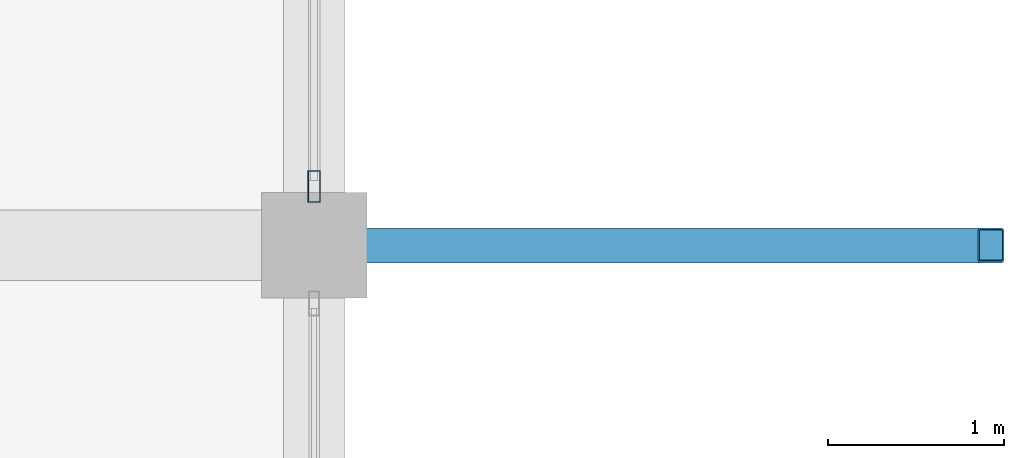
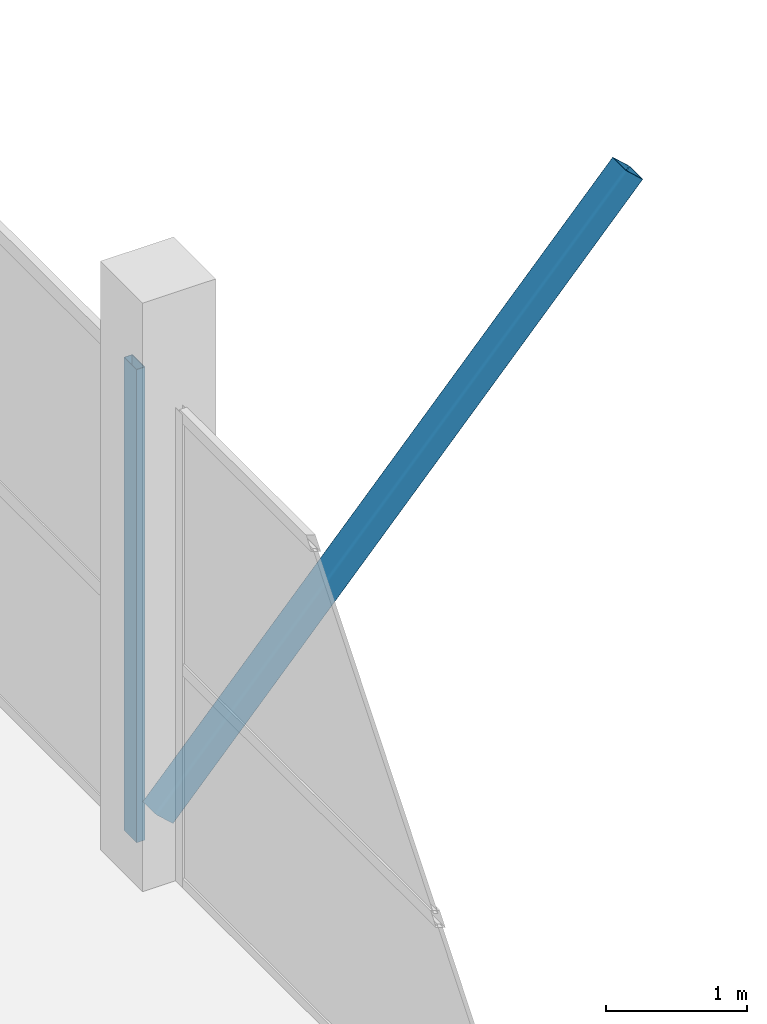
# One storey, part 17 of 58: 2 members, 1 element without a shape of its own.
"""IFC4 building model written with IfcOpenShell, lengths in metres."""

from ifc_helpers import new_model, si_unit, direction, frame, origin, origin_2d, place, context, subcontext, project, spatial, hollow_rectangle, extrude, material, layer, layer_set, material_profile, profile_set, type_object, element, aggregate, save


model = new_model("IFC4")

# Units and contexts
model_context = context("Model", 3, precision=1e-05, world=origin(), true_north=direction((0.0, 1.0)))
body_context = subcontext(model_context, "Body", "Model", "MODEL_VIEW")
ifc_project = project(units=[si_unit("LENGTHUNIT", "METRE"), si_unit("AREAUNIT", "SQUARE_METRE"), si_unit("VOLUMEUNIT", "CUBIC_METRE"), si_unit("PLANEANGLEUNIT", "RADIAN"), si_unit("MASSUNIT", "GRAM", prefix="KILO")], contexts=[model_context])

# Site, building, storey
site_placement = place(None, origin())
site = spatial("IfcSite", under=ifc_project, at=site_placement, CompositionType="ELEMENT")
building_placement = place(site_placement, origin())
building = spatial("IfcBuilding", under=site, at=building_placement, Name="Sillaruma Civic Art Gallery", CompositionType="ELEMENT")
storey_placement = place(building_placement, frame((0.0, 0.0, 52.02001953125)))
storey = spatial("IfcBuildingStorey", under=building, at=storey_placement, Name="L10", CompositionType="ELEMENT", Elevation=52.02001953125)

# Curtain wall, member
ifc_material_1 = material(Name="Thermally Broken Extruded Aluminium 6063-T6", Category="aluminium")
ifc_layer = layer(ifc_material_1, 0.179931640625, Name="Thermally Broken Extruded Aluminium 6063-T6")
ifc_layer_set = layer_set([ifc_layer], Name="Thermally Broken Extruded Aluminium 6063-T6")
curtain_wall_type = type_object("IfcCurtainWallType", Name="CW-UNI-79", PredefinedType="NOTDEFINED", material=ifc_layer_set)
curtain_wall_placement = place(storey_placement, origin())
curtain_wall = element("IfcCurtainWall", 1, at=curtain_wall_placement, inside=storey, type_object=curtain_wall_type, Name="Unitised Curtain Wall CW-79 (CW-L10-EBE-4)", PredefinedType="NOTDEFINED")
ifc_material_profile_1 = material_profile(ifc_material_1, hollow_rectangle(XDim=0.070068359375, YDim=0.179931640625, WallThickness=0.00390625, at=origin_2d()), Name="CWM70x180")
ifc_profile_set_1 = profile_set([ifc_material_profile_1], Name="Thermally Broken Extruded Aluminium 6063-T6")
member_type_1 = type_object("IfcMemberType", Name="MEM-MUL-CWM70x180", PredefinedType="MULLION", material=ifc_profile_set_1)
member_1_placement = place(storey_placement, frame((114.39990234375, 49.8349609375, 0.0), z_axis=(0.0, 0.0, 1.0), x_axis=(-1.0, 0.0, 0.0)))
member_1 = element("IfcMember", 2, at=member_1_placement, type_object=member_type_1, Name="CW-79 mullion 1", PredefinedType="MULLION", context=body_context, shape_type="SweptSolid", body=[
    extrude(hollow_rectangle(XDim=0.070068359375, YDim=0.179931640625, WallThickness=0.00390625, at=origin_2d()), origin(), (0.0, 0.0, 1.0), 4.10009765625),
])
aggregate(curtain_wall, [member_1])

# Member
ifc_material_2 = material(Name="Structural Steel ASTM A500 Gr.C", Category="steel")
ifc_material_profile_2 = material_profile(ifc_material_2, hollow_rectangle(XDim=0.199951171875, YDim=0.199951171875, WallThickness=0.010009765625, InnerFilletRadius=0.010009765625, OuterFilletRadius=0.02001953125, at=origin_2d()), Name="HSS200x200x10")
ifc_profile_set_2 = profile_set([ifc_material_profile_2], Name="Structural Steel ASTM A500 Gr.C")
member_type_2 = type_object("IfcMemberType", Name="MEM-PROW-BRACE", PredefinedType="BRACE", material=ifc_profile_set_2)
member_2_placement = place(storey_placement, frame((114.39990234375, 49.5, 0.39990234375), z_axis=(0.672715257777, 0.0, 0.739901467733), x_axis=(0.0, 1.0, 0.0)))
element("IfcMember", 3, at=member_2_placement, inside=storey, type_object=member_type_2, Name="Deconstructivist Prow Diagonal Brace (PRW-L11-E-FLR-N)", PredefinedType="BRACE", context=body_context, shape_type="SweptSolid", body=[
    extrude(hollow_rectangle(XDim=0.199951171875, YDim=0.199951171875, WallThickness=0.010009765625, InnerFilletRadius=0.010009765625, OuterFilletRadius=0.02001953125, at=origin_2d()), origin(), (0.0, 0.0, 1.0), 5.72314453125),
])

save(model, "model.ifc")
